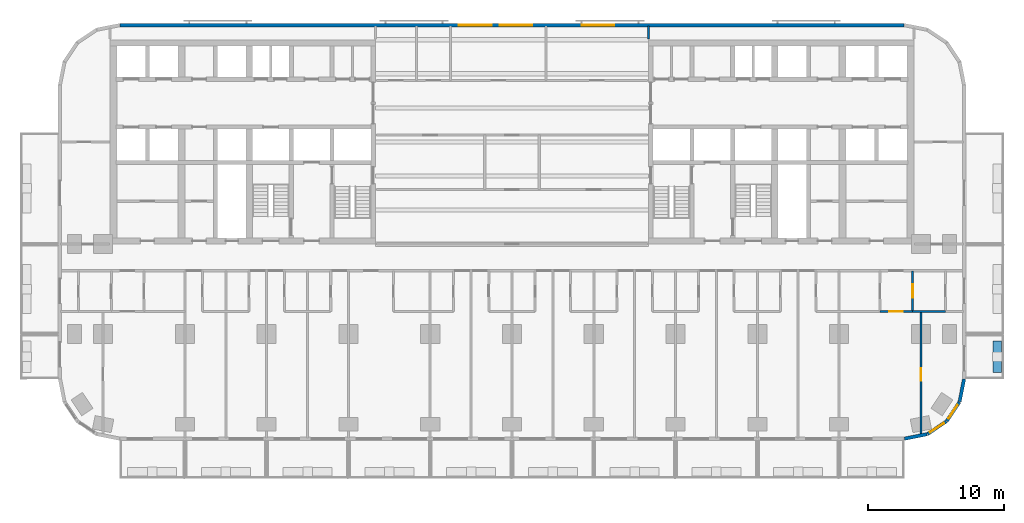
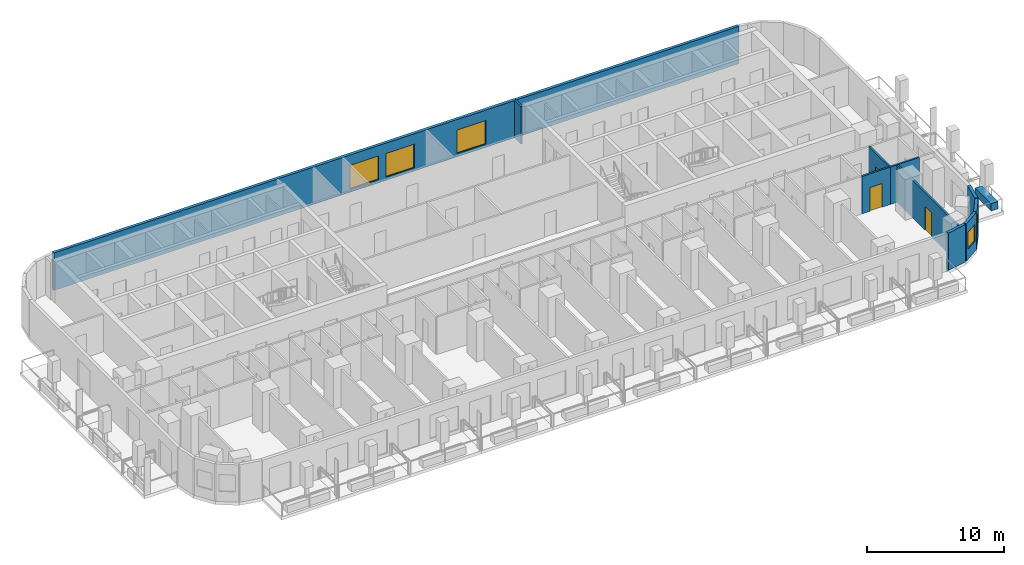
# One storey, part 9 of 15: 11 walls, 5 windows, 3 doors, 8 openings.
"""IFC4 building model written with IfcOpenShell, lengths in metres."""

from ifc_helpers import new_model, si_unit, direction, frame, frame_2d, origin, place, context, subcontext, project, spatial, rectangle, extrude, material, layer, layer_set, type_object, element, fill, save


model = new_model("IFC4")

# Units and contexts
model_context = context("Model", 3, precision=1e-05, world=origin(), true_north=direction((0.0, 1.0)))
body_context = subcontext(model_context, "Body", "Model", "MODEL_VIEW")
ifc_project = project(units=[si_unit("LENGTHUNIT", "METRE"), si_unit("AREAUNIT", "SQUARE_METRE"), si_unit("VOLUMEUNIT", "CUBIC_METRE"), si_unit("PLANEANGLEUNIT", "RADIAN"), si_unit("MASSUNIT", "GRAM", prefix="KILO")], contexts=[model_context])

# Site, building, storey
site_placement = place(None, origin())
site = spatial("IfcSite", under=ifc_project, at=site_placement, CompositionType="ELEMENT")
building_placement = place(site_placement, origin())
building = spatial("IfcBuilding", under=site, at=building_placement, Name="Torana Hotel and Residences", CompositionType="ELEMENT")
storey_placement = place(building_placement, frame((0.0, 0.0, 27.60009765625)))
storey = spatial("IfcBuildingStorey", under=building, at=storey_placement, Name="L05", CompositionType="ELEMENT", Elevation=27.60009765625)

# Wall
ifc_material_1 = material(Name="Black aluminium composite panel", Category="aluminium")
ifc_layer_1 = layer(ifc_material_1, 0.00390625, Name="Cladding", Category="cladding")
ifc_material_2 = material(Name="Ventilated air cavity")
ifc_layer_2 = layer(ifc_material_2, 0.0400390625, Name="Ventilated cavity", Category="cavity")
ifc_material_3 = material(Name="Mineral wool insulation")
ifc_layer_3 = layer(ifc_material_3, 0.090087890625, Name="Insulation", Category="insulation")
ifc_material_4 = material(Name="Steel S280GD", Category="steel")
ifc_layer_4 = layer(ifc_material_4, 0.092041015625, Name="Steel stud frame", Category="structure")
ifc_material_5 = material(Name="Fire rated plasterboard")
ifc_layer_5 = layer(ifc_material_5, 0.011962890625, Name="Inner board", Category="finish")
ifc_layer_6 = layer(ifc_material_5, 0.011962890625, Name="Second board", Category="finish")
ifc_layer_set_1 = layer_set([ifc_layer_1, ifc_layer_2, ifc_layer_3, ifc_layer_4, ifc_layer_5, ifc_layer_6], Name="EW1 EXTERNAL WALL BLACK METAL CLAD 250")
wall_type_1 = type_object("IfcWallType", Name="EW1 EXTERNAL WALL BLACK METAL CLAD 250", PredefinedType="SOLIDWALL", material=ifc_layer_set_1)
wall_1_placement = place(storey_placement, frame((28.7998046875, -29.272705078125, 0.0), z_axis=(0.0, 0.0, 1.0), x_axis=(0.980775640221, 0.19513878023, 0.0)))
element("IfcWall", 1, at=wall_1_placement, inside=storey, type_object=wall_type_1, Name="External wall L05 e0.15", PredefinedType="SOLIDWALL", context=body_context, shape_type="SweptSolid", body=[
    extrude(rectangle(XDim=1.681396484375, YDim=0.25, at=frame_2d((0.8408203125, 0.0))), origin(), (0.0, 0.0, 1.0), 3.31982421875),
])

# Wall, opening, window
wall_2_placement = place(storey_placement, frame((30.493896484375, -28.92578125, 0.0), z_axis=(0.0, 0.0, 1.0), x_axis=(0.831482937015, 0.55555029066, 0.0)))
wall_2 = element("IfcWall", 2, at=wall_2_placement, inside=storey, type_object=wall_type_1, Name="External wall L05 e0.16", PredefinedType="SOLIDWALL", context=body_context, shape_type="SweptSolid", body=[
    extrude(rectangle(XDim=1.65625, YDim=0.25, at=frame_2d((0.828125, 0.0))), origin(), (0.0, 0.0, 1.0), 3.31982421875),
])
opening_1_placement = place(wall_2_placement, frame((0.228271484375, 0.0, 0.89990234375)))
opening_1 = element("IfcOpeningElement", 3, at=opening_1_placement, cuts=wall_2, Name="Opening W5", PredefinedType="OPENING", context=body_context, shape_type="SweptSolid", body=[
    extrude(rectangle(XDim=1.199951171875, YDim=1.5, at=frame_2d((0.60009765625, 0.75))), frame((0.0, 0.135009765625, 0.0), z_axis=(0.0, -1.0, 0.0), x_axis=(1.0, 0.0, 0.0)), (0.0, 0.0, 1.0), 0.27001953125),
])
ifc_material_6 = material(Name="Dark glass in black aluminium frame", Category="aluminium")
window_type_1 = type_object("IfcWindowType", Name="W5 CORNER FACET WINDOW 1200x1500", PartitioningType="SINGLE_PANEL", PredefinedType="WINDOW", material=ifc_material_6)
window_1_placement = place(opening_1_placement, origin())
window_1 = element("IfcWindow", 4, at=window_1_placement, inside=storey, type_object=window_type_1, Name="Window L05 e0.16", OverallHeight=1.5, OverallWidth=1.199951171875, PartitioningType="SINGLE_PANEL", PredefinedType="WINDOW", context=body_context, shape_type="SweptSolid", body=[
    extrude(rectangle(XDim=1.199951171875, YDim=1.5, at=frame_2d((0.60009765625, 0.75))), frame((0.0, 0.030029296875, 0.0), z_axis=(0.0, -1.0, 0.0), x_axis=(1.0, 0.0, 0.0)), (0.0, 0.0, 1.0), 0.06005859375),
])
fill(opening_1, window_1)

wall_3_placement = place(storey_placement, frame((31.90576171875, -27.97119140625, 0.0), z_axis=(0.0, 0.0, 1.0), x_axis=(0.55555029066, 0.831482937015, 0.0)))
wall_3 = element("IfcWall", 5, at=wall_3_placement, inside=storey, type_object=wall_type_1, Name="External wall L05 e0.17", PredefinedType="SOLIDWALL", context=body_context, shape_type="SweptSolid", body=[
    extrude(rectangle(XDim=1.65625, YDim=0.25, at=frame_2d((0.828125, 0.0))), origin(), (0.0, 0.0, 1.0), 3.31982421875),
])
opening_2_placement = place(wall_3_placement, frame((0.228271484375, 0.0, 0.89990234375)))
opening_2 = element("IfcOpeningElement", 6, at=opening_2_placement, cuts=wall_3, Name="Opening W5", PredefinedType="OPENING", context=body_context, shape_type="SweptSolid", body=[
    extrude(rectangle(XDim=1.199951171875, YDim=1.5, at=frame_2d((0.60009765625, 0.75))), frame((0.0, 0.135009765625, 0.0), z_axis=(0.0, -1.0, 0.0), x_axis=(1.0, 0.0, 0.0)), (0.0, 0.0, 1.0), 0.27001953125),
])
window_2_placement = place(opening_2_placement, origin())
window_2 = element("IfcWindow", 7, at=window_2_placement, inside=storey, type_object=window_type_1, Name="Window L05 e0.17", OverallHeight=1.5, OverallWidth=1.199951171875, PartitioningType="SINGLE_PANEL", PredefinedType="WINDOW", context=body_context, shape_type="SweptSolid", body=[
    extrude(rectangle(XDim=1.199951171875, YDim=1.5, at=frame_2d((0.60009765625, 0.75))), frame((0.0, 0.030029296875, 0.0), z_axis=(0.0, -1.0, 0.0), x_axis=(1.0, 0.0, 0.0)), (0.0, 0.0, 1.0), 0.06005859375),
])
fill(opening_2, window_2)

# Wall
wall_4_placement = place(storey_placement, frame((32.844482421875, -26.548828125, 0.0), z_axis=(0.0, 0.0, 1.0), x_axis=(0.195166572128, 0.980770110232, 0.0)))
element("IfcWall", 8, at=wall_4_placement, inside=storey, type_object=wall_type_1, Name="External wall L05 e0.18", PredefinedType="SOLIDWALL", context=body_context, shape_type="SweptSolid", body=[
    extrude(rectangle(XDim=1.68115234375, YDim=0.25, at=frame_2d((0.840576171875, 0.0))), origin(), (0.0, 0.0, 1.0), 3.31982421875),
])

# Wall, openings, windows
ifc_material_7 = material(Name="Concrete C40/50 precast", Category="concrete")
ifc_layer_7 = layer(ifc_material_7, 0.10009765625, Name="Perforated block", Category="cladding")
ifc_material_8 = material(Name="Air cavity")
ifc_layer_8 = layer(ifc_material_8, 0.030029296875, Name="Cavity", Category="cavity")
ifc_material_9 = material(Name="Concrete C40/50", Category="concrete")
ifc_layer_9 = layer(ifc_material_9, 0.10009765625, Name="Wall", Category="structure")
ifc_material_10 = material(Name="Plaster and paint")
ifc_layer_10 = layer(ifc_material_10, 0.02001953125, Name="Inner finish", Category="finish")
ifc_layer_set_2 = layer_set([ifc_layer_7, ifc_layer_8, ifc_layer_9, ifc_layer_10], Name="EW2 PERFORATED BLOCK SCREEN WALL 250")
wall_type_2 = type_object("IfcWallType", Name="EW2 PERFORATED BLOCK SCREEN WALL 250", PredefinedType="SOLIDWALL", material=ifc_layer_set_2)
wall_5_placement = place(storey_placement, frame((28.775390625, 1.074951171875, 0.0), z_axis=(0.0, 0.0, 1.0), x_axis=(-1.0, 0.0, 0.0)))
wall_5 = element("IfcWall", 9, at=wall_5_placement, inside=storey, type_object=wall_type_2, Name="External wall L05 e0.4", PredefinedType="SOLIDWALL", context=body_context, shape_type="SweptSolid", body=[
    extrude(rectangle(XDim=57.55078125, YDim=0.25, at=frame_2d((28.775390625, 0.0))), origin(), (0.0, 0.0, 1.0), 3.31982421875),
])
opening_3_placement = place(wall_5_placement, frame((21.275390625, 0.0, 0.300048828125)))
opening_3 = element("IfcOpeningElement", 10, at=opening_3_placement, cuts=wall_5, Name="Opening W1", PredefinedType="OPENING", context=body_context, shape_type="SweptSolid", body=[
    extrude(rectangle(XDim=2.39990234375, YDim=2.10009765625, at=frame_2d((1.199951171875, 1.050048828125))), frame((0.0, 0.135009765625, 0.0), z_axis=(0.0, -1.0, 0.0), x_axis=(1.0, 0.0, 0.0)), (0.0, 0.0, 1.0), 0.27001953125),
])
opening_4_placement = place(wall_5_placement, frame((27.275390625, 0.0, 0.300048828125)))
opening_4 = element("IfcOpeningElement", 11, at=opening_4_placement, cuts=wall_5, Name="Opening W1", PredefinedType="OPENING", context=body_context, shape_type="SweptSolid", body=[
    extrude(rectangle(XDim=2.39990234375, YDim=2.10009765625, at=frame_2d((1.199951171875, 1.050048828125))), frame((0.0, 0.135009765625, 0.0), z_axis=(0.0, -1.0, 0.0), x_axis=(1.0, 0.0, 0.0)), (0.0, 0.0, 1.0), 0.27001953125),
])
opening_5_placement = place(wall_5_placement, frame((30.275390625, 0.0, 0.300048828125)))
opening_5 = element("IfcOpeningElement", 12, at=opening_5_placement, cuts=wall_5, Name="Opening W1", PredefinedType="OPENING", context=body_context, shape_type="SweptSolid", body=[
    extrude(rectangle(XDim=2.39990234375, YDim=2.10009765625, at=frame_2d((1.199951171875, 1.050048828125))), frame((0.0, 0.135009765625, 0.0), z_axis=(0.0, -1.0, 0.0), x_axis=(1.0, 0.0, 0.0)), (0.0, 0.0, 1.0), 0.27001953125),
])
ifc_material_11 = material(Name="Dark glass in black aluminium frame", Category="aluminium")
window_type_2 = type_object("IfcWindowType", Name="W1 HOTEL ROOM WINDOW 2400x2100", PartitioningType="SINGLE_PANEL", PredefinedType="WINDOW", material=ifc_material_11)
window_3_placement = place(opening_3_placement, origin())
window_3 = element("IfcWindow", 13, at=window_3_placement, inside=storey, type_object=window_type_2, Name="Window L05", OverallHeight=2.10009765625, OverallWidth=2.39990234375, PartitioningType="SINGLE_PANEL", PredefinedType="WINDOW", context=body_context, shape_type="SweptSolid", body=[
    extrude(rectangle(XDim=2.39990234375, YDim=2.10009765625, at=frame_2d((1.199951171875, 1.050048828125))), frame((0.0, 0.030029296875, 0.0), z_axis=(0.0, -1.0, 0.0), x_axis=(1.0, 0.0, 0.0)), (0.0, 0.0, 1.0), 0.06005859375),
])
fill(opening_3, window_3)
window_4_placement = place(opening_4_placement, origin())
window_4 = element("IfcWindow", 14, at=window_4_placement, inside=storey, type_object=window_type_2, Name="Window L05", OverallHeight=2.10009765625, OverallWidth=2.39990234375, PartitioningType="SINGLE_PANEL", PredefinedType="WINDOW", context=body_context, shape_type="SweptSolid", body=[
    extrude(rectangle(XDim=2.39990234375, YDim=2.10009765625, at=frame_2d((1.199951171875, 1.050048828125))), frame((0.0, 0.030029296875, 0.0), z_axis=(0.0, -1.0, 0.0), x_axis=(1.0, 0.0, 0.0)), (0.0, 0.0, 1.0), 0.06005859375),
])
fill(opening_4, window_4)
window_5_placement = place(opening_5_placement, origin())
window_5 = element("IfcWindow", 15, at=window_5_placement, inside=storey, type_object=window_type_2, Name="Window L05", OverallHeight=2.10009765625, OverallWidth=2.39990234375, PartitioningType="SINGLE_PANEL", PredefinedType="WINDOW", context=body_context, shape_type="SweptSolid", body=[
    extrude(rectangle(XDim=2.39990234375, YDim=2.10009765625, at=frame_2d((1.199951171875, 1.050048828125))), frame((0.0, 0.030029296875, 0.0), z_axis=(0.0, -1.0, 0.0), x_axis=(1.0, 0.0, 0.0)), (0.0, 0.0, 1.0), 0.06005859375),
])
fill(opening_5, window_5)

# Wall, opening, door
ifc_material_12 = material(Name="Gypsum plaster")
ifc_layer_11 = layer(ifc_material_12, 0.014892578125, Name="Plaster", Category="finish")
ifc_material_13 = material(Name="Concrete blockwork", Category="masonry")
ifc_layer_12 = layer(ifc_material_13, 0.1201171875, Name="Blockwork", Category="structure")
ifc_layer_13 = layer(ifc_material_12, 0.014892578125, Name="Plaster", Category="finish")
ifc_layer_set_3 = layer_set([ifc_layer_11, ifc_layer_12, ifc_layer_13], Name="FIRE PARTITION 150 BLOCKWORK")
wall_type_3 = type_object("IfcWallType", Name="FIRE PARTITION 150 BLOCKWORK", PredefinedType="PARTITIONING", material=ifc_layer_set_3)
wall_6_placement = place(storey_placement, frame((29.39990234375, -19.949951171875, 0.0), z_axis=(0.0, 0.0, 1.0), x_axis=(0.0, 1.0, 0.0)))
wall_6 = element("IfcWall", 16, at=wall_6_placement, inside=storey, type_object=wall_type_3, Name="Partition L05", PredefinedType="PARTITIONING", context=body_context, shape_type="SweptSolid", body=[
    extrude(rectangle(XDim=3.0, YDim=0.14990234375, at=frame_2d((1.5, 0.0))), origin(), (0.0, 0.0, 1.0), 3.31982421875),
])
opening_6_placement = place(wall_6_placement, frame((1.02001953125, 0.0, 0.0)))
opening_6 = element("IfcOpeningElement", 17, at=opening_6_placement, cuts=wall_6, Name="Opening L05-88", PredefinedType="OPENING", context=body_context, shape_type="SweptSolid", body=[
    extrude(rectangle(XDim=1.0, YDim=2.10009765625, at=frame_2d((0.5, 1.050048828125))), frame((0.0, 0.0849609375, 0.0), z_axis=(0.0, -1.0, 0.0), x_axis=(1.0, 0.0, 0.0)), (0.0, 0.0, 1.0), 0.169921875),
])
ifc_material_14 = material(Name="Steel S235", Category="steel")
door_type_1 = type_object("IfcDoorType", Name="ENTRY FIRE DOOR D6 1000x2100", OperationType="SINGLE_SWING_LEFT", PredefinedType="DOOR", material=ifc_material_14)
door_1_placement = place(opening_6_placement, frame((0.5, 0.0, 0.0), z_axis=(0.0, 0.0, 1.0), x_axis=(-1.0, 0.0, 0.0)))
door_1 = element("IfcDoor", 18, at=door_1_placement, inside=storey, type_object=door_type_1, Name="Door L05", OperationType="SINGLE_SWING_LEFT", OverallHeight=2.10009765625, OverallWidth=1.0, PredefinedType="DOOR", context=body_context, shape_type="SweptSolid", body=[
    extrude(rectangle(XDim=1.0, YDim=2.10009765625, at=frame_2d((0.0, 1.050048828125))), frame((0.0, -0.02490234375, 0.0), z_axis=(0.0, 1.0, 0.0), x_axis=(-1.0, 0.0, 0.0)), (0.0, 0.0, 1.0), 0.050048828125),
])
fill(opening_6, door_1)

wall_7_placement = place(storey_placement, frame((27.0, -19.949951171875, 0.0), z_axis=(0.0, 0.0, 1.0), x_axis=(1.0, 0.0, 0.0)))
wall_7 = element("IfcWall", 19, at=wall_7_placement, inside=storey, type_object=wall_type_3, Name="Partition L05", PredefinedType="PARTITIONING", context=body_context, shape_type="SweptSolid", body=[
    extrude(rectangle(XDim=2.39990234375, YDim=0.14990234375, at=frame_2d((1.199951171875, 0.0))), origin(), (0.0, 0.0, 1.0), 3.31982421875),
])
opening_7_placement = place(wall_7_placement, frame((0.679931640625, 0.0, 0.0)))
opening_7 = element("IfcOpeningElement", 20, at=opening_7_placement, cuts=wall_7, Name="Opening L05-89", PredefinedType="OPENING", context=body_context, shape_type="SweptSolid", body=[
    extrude(rectangle(XDim=1.0, YDim=2.10009765625, at=frame_2d((0.5, 1.050048828125))), frame((0.0, 0.0849609375, 0.0), z_axis=(0.0, -1.0, 0.0), x_axis=(1.0, 0.0, 0.0)), (0.0, 0.0, 1.0), 0.169921875),
])
door_2_placement = place(opening_7_placement, frame((0.5, 0.0, 0.0), z_axis=(0.0, 0.0, 1.0), x_axis=(-1.0, 0.0, 0.0)))
door_2 = element("IfcDoor", 21, at=door_2_placement, inside=storey, type_object=door_type_1, Name="Door L05", OperationType="SINGLE_SWING_RIGHT", OverallHeight=2.10009765625, OverallWidth=1.0, PredefinedType="DOOR", context=body_context, shape_type="SweptSolid", body=[
    extrude(rectangle(XDim=1.0, YDim=2.10009765625, at=frame_2d((0.0, 1.050048828125))), frame((0.0, -0.02490234375, 0.0), z_axis=(0.0, 1.0, 0.0), x_axis=(-1.0, 0.0, 0.0)), (0.0, 0.0, 1.0), 0.050048828125),
])
fill(opening_7, door_2)

ifc_material_15 = material(Name="Gypsum plasterboard")
ifc_layer_14 = layer(ifc_material_15, 0.012451171875, Name="Plasterboard", Category="finish")
ifc_layer_15 = layer(ifc_material_15, 0.012451171875, Name="Plasterboard", Category="finish")
ifc_layer_16 = layer(ifc_material_4, 0.10009765625, Name="Steel studs with mineral wool", Category="insulation")
ifc_layer_17 = layer(ifc_material_15, 0.012451171875, Name="Plasterboard", Category="finish")
ifc_layer_18 = layer(ifc_material_15, 0.012451171875, Name="Plasterboard", Category="finish")
ifc_layer_set_4 = layer_set([ifc_layer_14, ifc_layer_15, ifc_layer_16, ifc_layer_17, ifc_layer_18], Name="PARTITION 150 PLASTERBOARD")
wall_type_4 = type_object("IfcWallType", Name="PARTITION 150 PLASTERBOARD", PredefinedType="PARTITIONING", material=ifc_layer_set_4)
wall_8_placement = place(storey_placement, frame((30.0, -28.977783203125, 0.0), z_axis=(0.0, 0.0, 1.0), x_axis=(0.0, 1.0, 0.0)))
wall_8 = element("IfcWall", 22, at=wall_8_placement, inside=storey, type_object=wall_type_4, Name="Partition L05", PredefinedType="PARTITIONING", context=body_context, shape_type="SweptSolid", body=[
    extrude(rectangle(XDim=9.02783203125, YDim=0.14990234375, at=frame_2d((4.513916015625, 0.0))), origin(), (0.0, 0.0, 1.0), 3.31982421875),
])
opening_8_placement = place(wall_8_placement, frame((3.957763671875, 0.0, 0.0)))
opening_8 = element("IfcOpeningElement", 23, at=opening_8_placement, cuts=wall_8, Name="Opening L05-91", PredefinedType="OPENING", context=body_context, shape_type="SweptSolid", body=[
    extrude(rectangle(XDim=0.89990234375, YDim=2.10009765625, at=frame_2d((0.449951171875, 1.050048828125))), frame((0.0, 0.0849609375, 0.0), z_axis=(0.0, -1.0, 0.0), x_axis=(1.0, 0.0, 0.0)), (0.0, 0.0, 1.0), 0.169921875),
])
ifc_material_16 = material(Name="Timber door, oiled ash", Category="wood")
door_type_2 = type_object("IfcDoorType", Name="ROOM DOOR D7 900x2100", OperationType="SINGLE_SWING_LEFT", PredefinedType="DOOR", material=ifc_material_16)
door_3_placement = place(opening_8_placement, origin())
door_3 = element("IfcDoor", 24, at=door_3_placement, inside=storey, type_object=door_type_2, Name="Door L05", OperationType="SINGLE_SWING_RIGHT", OverallHeight=2.10009765625, OverallWidth=0.89990234375, PredefinedType="DOOR", context=body_context, shape_type="SweptSolid", body=[
    extrude(rectangle(XDim=0.89990234375, YDim=2.10009765625, at=frame_2d((0.449951171875, 1.050048828125))), frame((0.0, 0.02490234375, 0.0), z_axis=(0.0, -1.0, 0.0), x_axis=(1.0, 0.0, 0.0)), (0.0, 0.0, 1.0), 0.050048828125),
])
fill(opening_8, door_3)

# Walls
wall_9_placement = place(storey_placement, frame((10.0, 0.050048828125, 0.0), z_axis=(0.0, 0.0, 1.0), x_axis=(0.0, 1.0, 0.0)))
element("IfcWall", 25, at=wall_9_placement, inside=storey, type_object=wall_type_4, Name="Partition L05", PredefinedType="PARTITIONING", context=body_context, shape_type="SweptSolid", body=[
    extrude(rectangle(XDim=0.969970703125, YDim=0.14990234375, at=frame_2d((0.48486328125, 0.0))), origin(), (0.0, 0.0, 1.0), 3.31982421875),
])
wall_10_placement = place(storey_placement, frame((29.39990234375, -19.949951171875, 0.0), z_axis=(0.0, 0.0, 1.0), x_axis=(1.0, 0.0, 0.0)))
element("IfcWall", 26, at=wall_10_placement, inside=storey, type_object=wall_type_4, Name="Partition L05", PredefinedType="PARTITIONING", context=body_context, shape_type="SweptSolid", body=[
    extrude(rectangle(XDim=2.400146484375, YDim=0.14990234375, at=frame_2d((1.2001953125, 0.0))), origin(), (0.0, 0.0, 1.0), 3.31982421875),
])
ifc_layer_19 = layer(ifc_material_7, 0.10009765625, Name="Planter shell", Category="structure")
ifc_material_17 = material(Name="Root resistant membrane")
ifc_layer_20 = layer(ifc_material_17, 0.00390625, Name="Waterproofing membrane", Category="membrane")
ifc_material_18 = material(Name="Drainage board with filter fleece")
ifc_layer_21 = layer(ifc_material_18, 0.02001953125, Name="Drainage board", Category="drainage")
ifc_material_19 = material(Name="Growing medium")
ifc_layer_22 = layer(ifc_material_19, 0.47607421875, Name="Planting substrate", Category="soil")
ifc_layer_set_5 = layer_set([ifc_layer_19, ifc_layer_20, ifc_layer_21, ifc_layer_22], Name="PL1 BALCONY PLANTER 600")
wall_type_5 = type_object("IfcWallType", Name="PL1 BALCONY PLANTER 600", PredefinedType="USERDEFINED", material=ifc_layer_set_5)
wall_11_placement = place(storey_placement, frame((35.60009765625, -22.10009765625, 0.0), z_axis=(0.0, 0.0, 1.0), x_axis=(0.0, -1.0, 0.0)))
element("IfcWall", 27, at=wall_11_placement, inside=storey, type_object=wall_type_5, Name="Planter 14", ObjectType="PLANTER", PredefinedType="USERDEFINED", context=body_context, shape_type="SweptSolid", body=[
    extrude(rectangle(XDim=2.2998046875, YDim=0.60009765625, at=frame_2d((1.14990234375, 0.0))), origin(), (0.0, 0.0, 1.0), 0.64990234375),
])

save(model, "model.ifc")
